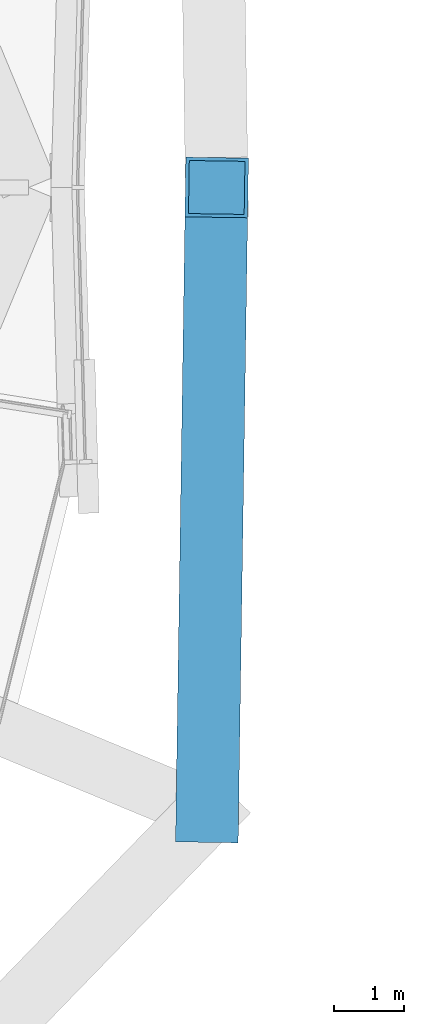
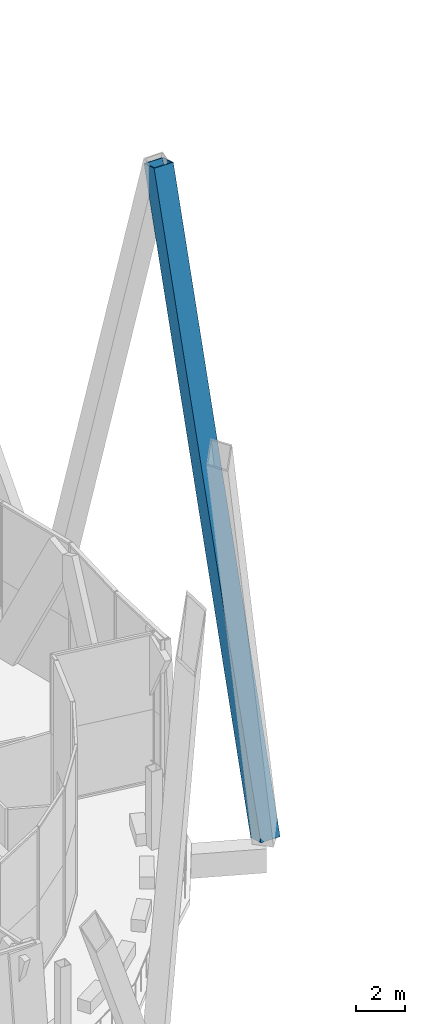
# One storey, part 14 of 53: 1 member.
"""IFC4 building model written with IfcOpenShell, lengths in metres."""

from ifc_helpers import new_model, si_unit, direction, frame, origin, origin_2d, place, context, subcontext, project, spatial, hollow_rectangle, extrude, material, material_profile, profile_set, type_object, element, save


model = new_model("IFC4")

# Units and contexts
model_context = context("Model", 3, precision=1e-05, world=origin(), true_north=direction((0.0, 1.0)))
body_context = subcontext(model_context, "Body", "Model", "MODEL_VIEW")
ifc_project = project(units=[si_unit("LENGTHUNIT", "METRE"), si_unit("AREAUNIT", "SQUARE_METRE"), si_unit("VOLUMEUNIT", "CUBIC_METRE"), si_unit("PLANEANGLEUNIT", "RADIAN"), si_unit("MASSUNIT", "GRAM", prefix="KILO")], contexts=[model_context])

# Site, building, storey
site_placement = place(None, origin())
site = spatial("IfcSite", under=ifc_project, at=site_placement, CompositionType="ELEMENT")
building_placement = place(site_placement, origin())
building = spatial("IfcBuilding", under=site, at=building_placement, Name="Ogive Gate Towers", CompositionType="ELEMENT")
storey_placement = place(building_placement, frame((0.0, 0.0, 240.60009765625)))
storey = spatial("IfcBuildingStorey", under=building, at=storey_placement, Name="L57", CompositionType="ELEMENT", Elevation=240.60009765625)

# Member
ifc_material = material(Name="Steel SM460", Category="steel")
ifc_material_profile = material_profile(ifc_material, hollow_rectangle(XDim=0.89990234375, YDim=0.89990234375, WallThickness=0.050048828125, at=origin_2d()), Name="BX 900x900x50")
ifc_profile_set = profile_set([ifc_material_profile], Name="Steel SM460")
member_type = type_object("IfcMemberType", Name="Diagrid diagonal BX 900x900x50", PredefinedType="BRACE", material=ifc_profile_set)
member_placement = place(storey_placement, frame((-14.32568359375, -8.977783203125, 0.0), z_axis=(0.00458667981, 0.303356073086, 0.952866231582), x_axis=(-0.999885715585, 0.015118061019, 0.0)))
element("IfcMember", 1, at=member_placement, inside=storey, type_object=member_type, Name="T1/L57/SDG016", PredefinedType="BRACE", context=body_context, shape_type="SweptSolid", body=[
    extrude(hollow_rectangle(XDim=0.89990234375, YDim=0.89990234375, WallThickness=0.050048828125, at=origin_2d()), origin(), (0.0, 0.0, 1.0), 29.594970703125),
])

save(model, "model.ifc")
